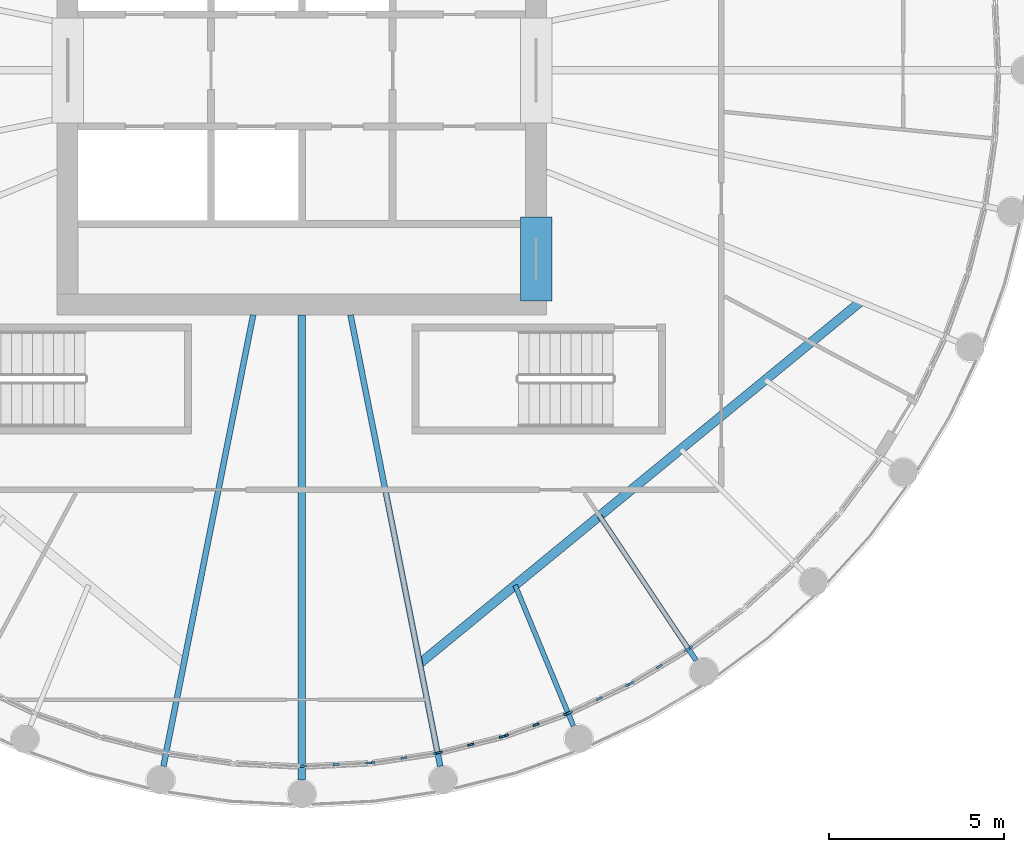
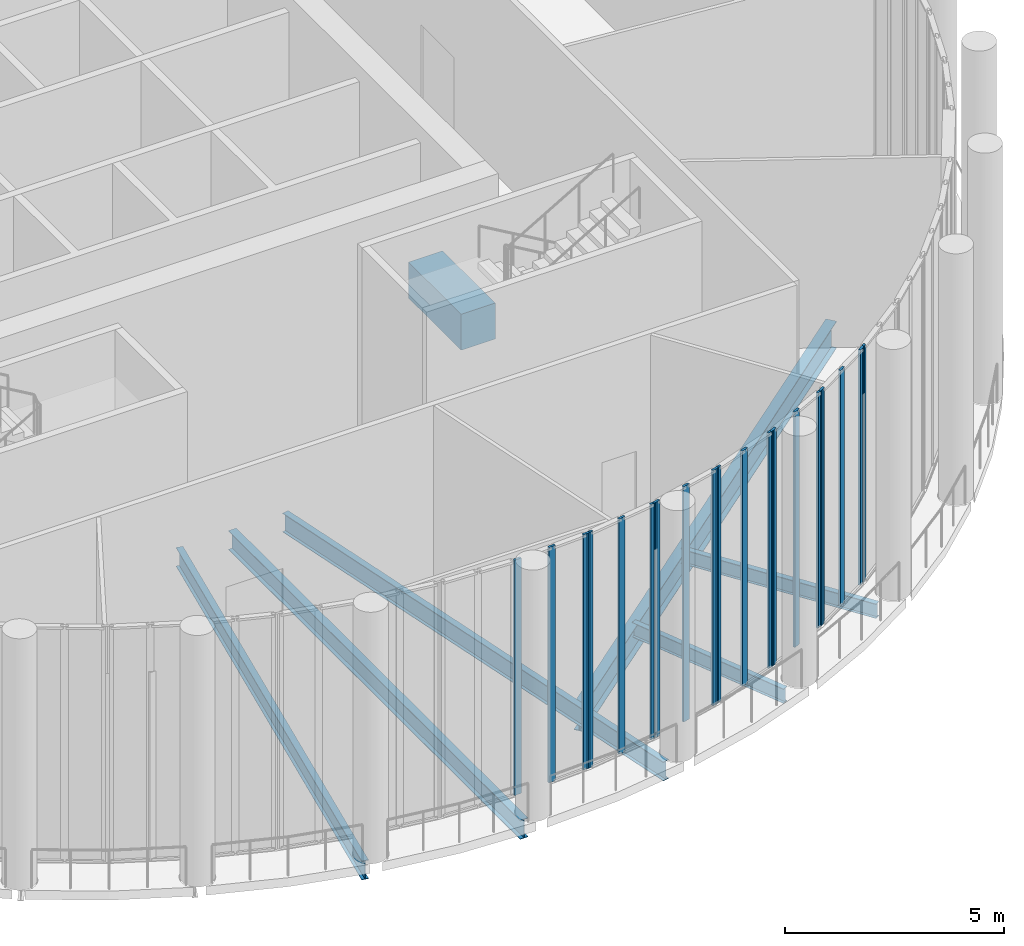
# One storey, part 3 of 21: 19 members, 7 beams, 7 elements without a shape of their own.
"""IFC4 building model written with IfcOpenShell, lengths in metres."""

from ifc_helpers import new_model, si_unit, direction, frame, origin, origin_2d, place, context, subcontext, project, spatial, rectangle, i_section, extrude, material, material_profile, profile_set, type_object, element, aggregate, save


model = new_model("IFC4")

# Units and contexts
model_context = context("Model", 3, precision=1e-05, world=origin(), true_north=direction((0.0, 1.0)))
body_context = subcontext(model_context, "Body", "Model", "MODEL_VIEW")
ifc_project = project(units=[si_unit("LENGTHUNIT", "METRE"), si_unit("AREAUNIT", "SQUARE_METRE"), si_unit("VOLUMEUNIT", "CUBIC_METRE"), si_unit("PLANEANGLEUNIT", "RADIAN"), si_unit("MASSUNIT", "GRAM", prefix="KILO")], contexts=[model_context])

# Site, building, storey
site_placement = place(None, origin())
site = spatial("IfcSite", under=ifc_project, at=site_placement, CompositionType="ELEMENT")
building_placement = place(site_placement, origin())
building = spatial("IfcBuilding", under=site, at=building_placement, Name="Corvane Civic Tower", CompositionType="ELEMENT")
storey_placement = place(building_placement, frame((0.0, 0.0, 380.5)))
storey = spatial("IfcBuildingStorey", under=building, at=storey_placement, Name="L91", CompositionType="ELEMENT", Elevation=380.5)

# Beam
ifc_material_1 = material(Name="Concrete C40/50", Category="concrete")
ifc_material_profile_1 = material_profile(ifc_material_1, rectangle(XDim=0.89990234375, YDim=1.0, at=origin_2d()), Name="COUPLING BEAM 900X1000")
ifc_profile_set_1 = profile_set([ifc_material_profile_1], Name="Concrete C40/50")
beam_type_1 = type_object("IfcBeamType", Name="COUPLING BEAM COUPLING BEAM 900X1000", PredefinedType="BEAM", material=ifc_profile_set_1)
beam_1_placement = place(storey_placement, frame((6.699951171875, -6.60009765625, 2.60009765625), z_axis=(0.0, 1.0, 0.0), x_axis=(-1.0, 0.0, 0.0)))
element("IfcBeam", 1, at=beam_1_placement, inside=storey, type_object=beam_type_1, Name="BM-L91-cpl-CW-PAS-S", PredefinedType="BEAM", context=body_context, shape_type="SweptSolid", body=[
    extrude(rectangle(XDim=0.89990234375, YDim=1.0, at=origin_2d()), origin(), (0.0, 0.0, 1.0), 2.400146484375),
])

# Curtain wall, members
ifc_material_2 = material(Name="Aluminium and glass", Category="aluminium")
curtain_wall_type = type_object("IfcCurtainWallType", Name="CROWN-CW-O-RUN", PredefinedType="NOTDEFINED", material=ifc_material_2)
curtain_wall_1_placement = place(storey_placement, origin())
curtain_wall_1 = element("IfcCurtainWall", 2, at=curtain_wall_1_placement, inside=storey, type_object=curtain_wall_type, Name="CW-O run L91 33", PredefinedType="NOTDEFINED")
ifc_material_3 = material(Name="Anodised aluminium bronze", Category="aluminium")
ifc_material_profile_2 = material_profile(ifc_material_3, rectangle(XDim=0.06005859375, YDim=0.179931640625, at=origin_2d()), Name="AL 60x180")
ifc_profile_set_2 = profile_set([ifc_material_profile_2], Name="Anodised aluminium bronze")
member_type = type_object("IfcMemberType", Name="CROWN-CWO-MULLION-60x180", PredefinedType="MULLION", material=ifc_profile_set_2)
member_1_placement = place(storey_placement, frame((0.045654296875, -19.90771484375, 0.0), z_axis=(0.0, 0.0, 1.0), x_axis=(-0.048990829113, 0.998799228405, 0.0)))
member_1 = element("IfcMember", 3, at=member_1_placement, type_object=member_type, Name="CW-O mullion 1", PredefinedType="MULLION", context=body_context, shape_type="SweptSolid", body=[
    extrude(rectangle(XDim=0.06005859375, YDim=0.179931640625, at=origin_2d()), origin(), (0.0, 0.0, 1.0), 6.550048828125),
])
member_2_placement = place(storey_placement, frame((0.975830078125, -19.862060546875, 0.0), z_axis=(0.0, 0.0, 1.0), x_axis=(-0.048990829113, 0.998799228405, 0.0)))
member_2 = element("IfcMember", 4, at=member_2_placement, type_object=member_type, Name="CW-O mullion 2", PredefinedType="MULLION", context=body_context, shape_type="SweptSolid", body=[
    extrude(rectangle(XDim=0.06005859375, YDim=0.179931640625, at=origin_2d()), origin(), (0.0, 0.0, 1.0), 6.550048828125),
])
member_3_placement = place(storey_placement, frame((1.90625, -19.81640625, 0.0), z_axis=(0.0, 0.0, 1.0), x_axis=(-0.048990829113, 0.998799228405, 0.0)))
member_3 = element("IfcMember", 5, at=member_3_placement, type_object=member_type, Name="CW-O mullion 3", PredefinedType="MULLION", context=body_context, shape_type="SweptSolid", body=[
    extrude(rectangle(XDim=0.06005859375, YDim=0.179931640625, at=origin_2d()), origin(), (0.0, 0.0, 1.0), 6.550048828125),
])
aggregate(curtain_wall_1, [member_1, member_2, member_3])

curtain_wall_2_placement = place(storey_placement, origin())
curtain_wall_2 = element("IfcCurtainWall", 6, at=curtain_wall_2_placement, inside=storey, type_object=curtain_wall_type, Name="CW-O run L91 34", PredefinedType="NOTDEFINED")
member_4_placement = place(storey_placement, frame((1.99658203125, -19.807373046875, 0.0), z_axis=(0.0, 0.0, 1.0), x_axis=(-0.146771076941, 0.989170486303, 0.0)))
member_4 = element("IfcMember", 7, at=member_4_placement, type_object=member_type, Name="CW-O mullion 1", PredefinedType="MULLION", context=body_context, shape_type="SweptSolid", body=[
    extrude(rectangle(XDim=0.06005859375, YDim=0.179931640625, at=origin_2d()), origin(), (0.0, 0.0, 1.0), 6.550048828125),
])
member_5_placement = place(storey_placement, frame((2.91796875, -19.670654296875, 0.0), z_axis=(0.0, 0.0, 1.0), x_axis=(-0.146771076941, 0.989170486303, 0.0)))
member_5 = element("IfcMember", 8, at=member_5_placement, type_object=member_type, Name="CW-O mullion 2", PredefinedType="MULLION", context=body_context, shape_type="SweptSolid", body=[
    extrude(rectangle(XDim=0.06005859375, YDim=0.179931640625, at=origin_2d()), origin(), (0.0, 0.0, 1.0), 6.550048828125),
])
member_6_placement = place(storey_placement, frame((3.839111328125, -19.533935546875, 0.0), z_axis=(0.0, 0.0, 1.0), x_axis=(-0.146771076941, 0.989170486303, 0.0)))
member_6 = element("IfcMember", 9, at=member_6_placement, type_object=member_type, Name="CW-O mullion 3", PredefinedType="MULLION", context=body_context, shape_type="SweptSolid", body=[
    extrude(rectangle(XDim=0.06005859375, YDim=0.179931640625, at=origin_2d()), origin(), (0.0, 0.0, 1.0), 6.550048828125),
])
aggregate(curtain_wall_2, [member_4, member_5, member_6])

curtain_wall_3_placement = place(storey_placement, origin())
curtain_wall_3 = element("IfcCurtainWall", 10, at=curtain_wall_3_placement, inside=storey, type_object=curtain_wall_type, Name="CW-O run L91 35", PredefinedType="NOTDEFINED")
member_7_placement = place(storey_placement, frame((3.928466796875, -19.516357421875, 0.0), z_axis=(0.0, 0.0, 1.0), x_axis=(-0.242951704982, 0.970038385347, 0.0)))
member_7 = element("IfcMember", 11, at=member_7_placement, type_object=member_type, Name="CW-O mullion 1", PredefinedType="MULLION", context=body_context, shape_type="SweptSolid", body=[
    extrude(rectangle(XDim=0.06005859375, YDim=0.179931640625, at=origin_2d()), origin(), (0.0, 0.0, 1.0), 6.550048828125),
])
member_8_placement = place(storey_placement, frame((4.831787109375, -19.2900390625, 0.0), z_axis=(0.0, 0.0, 1.0), x_axis=(-0.242951704982, 0.970038385347, 0.0)))
member_8 = element("IfcMember", 12, at=member_8_placement, type_object=member_type, Name="CW-O mullion 2", PredefinedType="MULLION", context=body_context, shape_type="SweptSolid", body=[
    extrude(rectangle(XDim=0.06005859375, YDim=0.179931640625, at=origin_2d()), origin(), (0.0, 0.0, 1.0), 6.550048828125),
])
member_9_placement = place(storey_placement, frame((5.7353515625, -19.063720703125, 0.0), z_axis=(0.0, 0.0, 1.0), x_axis=(-0.242951704982, 0.970038385347, 0.0)))
member_9 = element("IfcMember", 13, at=member_9_placement, type_object=member_type, Name="CW-O mullion 3", PredefinedType="MULLION", context=body_context, shape_type="SweptSolid", body=[
    extrude(rectangle(XDim=0.06005859375, YDim=0.179931640625, at=origin_2d()), origin(), (0.0, 0.0, 1.0), 6.550048828125),
])
aggregate(curtain_wall_3, [member_7, member_8, member_9])

curtain_wall_4_placement = place(storey_placement, origin())
curtain_wall_4 = element("IfcCurtainWall", 14, at=curtain_wall_4_placement, inside=storey, type_object=curtain_wall_type, Name="CW-O run L91 36", PredefinedType="NOTDEFINED")
member_10_placement = place(storey_placement, frame((5.822509765625, -19.037353515625, 0.0), z_axis=(0.0, 0.0, 1.0), x_axis=(-0.336982106999, 0.941511051216, 0.0)))
member_10 = element("IfcMember", 15, at=member_10_placement, type_object=member_type, Name="CW-O mullion 1", PredefinedType="MULLION", context=body_context, shape_type="SweptSolid", body=[
    extrude(rectangle(XDim=0.06005859375, YDim=0.179931640625, at=origin_2d()), origin(), (0.0, 0.0, 1.0), 6.550048828125),
])
member_11_placement = place(storey_placement, frame((6.69921875, -18.723388671875, 0.0), z_axis=(0.0, 0.0, 1.0), x_axis=(-0.336982106999, 0.941511051216, 0.0)))
member_11 = element("IfcMember", 16, at=member_11_placement, type_object=member_type, Name="CW-O mullion 2", PredefinedType="MULLION", context=body_context, shape_type="SweptSolid", body=[
    extrude(rectangle(XDim=0.06005859375, YDim=0.179931640625, at=origin_2d()), origin(), (0.0, 0.0, 1.0), 6.550048828125),
])
member_12_placement = place(storey_placement, frame((7.576171875, -18.40966796875, 0.0), z_axis=(0.0, 0.0, 1.0), x_axis=(-0.336982106999, 0.941511051216, 0.0)))
member_12 = element("IfcMember", 17, at=member_12_placement, type_object=member_type, Name="CW-O mullion 3", PredefinedType="MULLION", context=body_context, shape_type="SweptSolid", body=[
    extrude(rectangle(XDim=0.06005859375, YDim=0.179931640625, at=origin_2d()), origin(), (0.0, 0.0, 1.0), 6.550048828125),
])
aggregate(curtain_wall_4, [member_10, member_11, member_12])

curtain_wall_5_placement = place(storey_placement, origin())
curtain_wall_5 = element("IfcCurtainWall", 18, at=curtain_wall_5_placement, inside=storey, type_object=curtain_wall_type, Name="CW-O run L91 37", PredefinedType="NOTDEFINED")
member_13_placement = place(storey_placement, frame((7.660400390625, -18.374755859375, 0.0), z_axis=(0.0, 0.0, 1.0), x_axis=(-0.427509457959, 0.904010875684, 0.0)))
member_13 = element("IfcMember", 19, at=member_13_placement, type_object=member_type, Name="CW-O mullion 1", PredefinedType="MULLION", context=body_context, shape_type="SweptSolid", body=[
    extrude(rectangle(XDim=0.06005859375, YDim=0.179931640625, at=origin_2d()), origin(), (0.0, 0.0, 1.0), 6.550048828125),
])
member_14_placement = place(storey_placement, frame((8.502197265625, -17.9765625, 0.0), z_axis=(0.0, 0.0, 1.0), x_axis=(-0.427509457959, 0.904010875684, 0.0)))
member_14 = element("IfcMember", 20, at=member_14_placement, type_object=member_type, Name="CW-O mullion 2", PredefinedType="MULLION", context=body_context, shape_type="SweptSolid", body=[
    extrude(rectangle(XDim=0.06005859375, YDim=0.179931640625, at=origin_2d()), origin(), (0.0, 0.0, 1.0), 6.550048828125),
])
member_15_placement = place(storey_placement, frame((9.34423828125, -17.578369140625, 0.0), z_axis=(0.0, 0.0, 1.0), x_axis=(-0.427509457959, 0.904010875684, 0.0)))
member_15 = element("IfcMember", 21, at=member_15_placement, type_object=member_type, Name="CW-O mullion 3", PredefinedType="MULLION", context=body_context, shape_type="SweptSolid", body=[
    extrude(rectangle(XDim=0.06005859375, YDim=0.179931640625, at=origin_2d()), origin(), (0.0, 0.0, 1.0), 6.550048828125),
])
aggregate(curtain_wall_5, [member_13, member_14, member_15])

curtain_wall_6_placement = place(storey_placement, origin())
curtain_wall_6 = element("IfcCurtainWall", 22, at=curtain_wall_6_placement, inside=storey, type_object=curtain_wall_type, Name="CW-O run L91 38", PredefinedType="NOTDEFINED")
member_16_placement = place(storey_placement, frame((9.424560546875, -17.53564453125, 0.0), z_axis=(0.0, 0.0, 1.0), x_axis=(-0.514151508287, 0.857699380043, 0.0)))
member_16 = element("IfcMember", 23, at=member_16_placement, type_object=member_type, Name="CW-O mullion 1", PredefinedType="MULLION", context=body_context, shape_type="SweptSolid", body=[
    extrude(rectangle(XDim=0.06005859375, YDim=0.179931640625, at=origin_2d()), origin(), (0.0, 0.0, 1.0), 6.550048828125),
])
member_17_placement = place(storey_placement, frame((10.223388671875, -17.056640625, 0.0), z_axis=(0.0, 0.0, 1.0), x_axis=(-0.514151508287, 0.857699380043, 0.0)))
member_17 = element("IfcMember", 24, at=member_17_placement, type_object=member_type, Name="CW-O mullion 2", PredefinedType="MULLION", context=body_context, shape_type="SweptSolid", body=[
    extrude(rectangle(XDim=0.06005859375, YDim=0.179931640625, at=origin_2d()), origin(), (0.0, 0.0, 1.0), 6.550048828125),
])
member_18_placement = place(storey_placement, frame((11.022216796875, -16.577880859375, 0.0), z_axis=(0.0, 0.0, 1.0), x_axis=(-0.514151508287, 0.857699380043, 0.0)))
member_18 = element("IfcMember", 25, at=member_18_placement, type_object=member_type, Name="CW-O mullion 3", PredefinedType="MULLION", context=body_context, shape_type="SweptSolid", body=[
    extrude(rectangle(XDim=0.06005859375, YDim=0.179931640625, at=origin_2d()), origin(), (0.0, 0.0, 1.0), 6.550048828125),
])
aggregate(curtain_wall_6, [member_16, member_17, member_18])

# Curtain wall, member
curtain_wall_7_placement = place(storey_placement, origin())
curtain_wall_7 = element("IfcCurtainWall", 26, at=curtain_wall_7_placement, inside=storey, type_object=curtain_wall_type, Name="CW-O run L91 39", PredefinedType="NOTDEFINED")
member_19_placement = place(storey_placement, frame((11.097900390625, -16.52734375, 0.0), z_axis=(0.0, 0.0, 1.0), x_axis=(-0.595722477003, 0.803190345058, 0.0)))
member_19 = element("IfcMember", 27, at=member_19_placement, type_object=member_type, Name="CW-O mullion 1", PredefinedType="MULLION", context=body_context, shape_type="SweptSolid", body=[
    extrude(rectangle(XDim=0.06005859375, YDim=0.179931640625, at=origin_2d()), origin(), (0.0, 0.0, 1.0), 6.550048828125),
])
aggregate(curtain_wall_7, [member_19])

# Beams
ifc_material_4 = material(Name="Steel ASTM A992 Gr 50", Category="steel")
ifc_material_profile_3 = material_profile(ifc_material_4, i_section(OverallWidth=0.140380859375, OverallDepth=0.40380859375, WebThickness=0.007080078125, FlangeThickness=0.01123046875, at=origin_2d()), Name="W16X31")
ifc_profile_set_3 = profile_set([ifc_material_profile_3], Name="Steel ASTM A992 Gr 50")
beam_type_2 = type_object("IfcBeamType", Name="FLOOR GIRDER W16X31", PredefinedType="BEAM", material=ifc_profile_set_3)
beam_2_placement = place(storey_placement, frame((8.51708984375, -12.746826171875, -0.65185546875), z_axis=(0.555572833015, -0.831467875035, 0.0), x_axis=(0.831467875035, 0.555572833015, 0.0)))
element("IfcBeam", 28, at=beam_2_placement, inside=storey, type_object=beam_type_2, Name="BM-L91-G14", PredefinedType="BEAM", context=body_context, shape_type="SweptSolid", body=[
    extrude(i_section(OverallWidth=0.140380859375, OverallDepth=0.40380859375, WebThickness=0.007080078125, FlangeThickness=0.01123046875, at=origin_2d()), origin(), (0.0, 0.0, 1.0), 4.9697265625),
])
beam_3_placement = place(storey_placement, frame((6.101318359375, -14.729736328125, -0.65185546875), z_axis=(0.382696596497, -0.923874079639, 0.0), x_axis=(0.923874079639, 0.382696596497, 0.0)))
element("IfcBeam", 29, at=beam_3_placement, inside=storey, type_object=beam_type_2, Name="BM-L91-G15", PredefinedType="BEAM", context=body_context, shape_type="SweptSolid", body=[
    extrude(i_section(OverallWidth=0.140380859375, OverallDepth=0.40380859375, WebThickness=0.007080078125, FlangeThickness=0.01123046875, at=origin_2d()), origin(), (0.0, 0.0, 1.0), 4.3564453125),
])
ifc_material_5 = material(Name="Steel ASTM A992 Gr 50", Category="steel")
ifc_material_profile_4 = material_profile(ifc_material_5, i_section(OverallWidth=0.165771484375, OverallDepth=0.5283203125, WebThickness=0.009765625, FlangeThickness=0.013671875, at=origin_2d()), Name="W21X50")
ifc_profile_set_4 = profile_set([ifc_material_profile_4], Name="Steel ASTM A992 Gr 50")
beam_type_3 = type_object("IfcBeamType", Name="FLOOR GIRDER W21X50", PredefinedType="BEAM", material=ifc_profile_set_4)
for number, where, z_axis, x_axis, name in (
    (30, (1.392333984375, -7.0, -0.714111328125), (0.195103041836, -0.980782750188, 0.0), (0.980782750188, 0.195103041836, 0.0), "BM-L91-G16"),
    (31, (-1.392333984375, -7.0, -0.714111328125), (-0.195103041836, -0.980782750188, 0.0), (0.980782750188, -0.195103041836, 0.0), "BM-L91-G18"),
):
    element("IfcBeam", number, at=place(storey_placement, frame(where, z_axis=z_axis, x_axis=x_axis)), inside=storey, type_object=beam_type_3, Name=name, PredefinedType="BEAM", context=body_context, shape_type="SweptSolid", body=[
        extrude(i_section(OverallWidth=0.165771484375, OverallDepth=0.5283203125, WebThickness=0.009765625, FlangeThickness=0.013671875, at=origin_2d()), origin(), (0.0, 0.0, 1.0), 13.162841796875),
    ])
ifc_material_6 = material(Name="Steel ASTM A992 Gr 50", Category="steel")
ifc_material_profile_5 = material_profile(ifc_material_6, i_section(OverallWidth=0.209228515625, OverallDepth=0.533447265625, WebThickness=0.01025390625, FlangeThickness=0.015625, at=origin_2d()), Name="W21X62")
ifc_profile_set_5 = profile_set([ifc_material_profile_5], Name="Steel ASTM A992 Gr 50")
beam_type_4 = type_object("IfcBeamType", Name="FLOOR GIRDER W21X62", PredefinedType="BEAM", material=ifc_profile_set_5)
beam_4_placement = place(storey_placement, frame((0.0, -7.0, -0.716796875), z_axis=(0.0, -1.0, 0.0), x_axis=(1.0, 0.0, 0.0)))
element("IfcBeam", 32, at=beam_4_placement, inside=storey, type_object=beam_type_4, Name="BM-L91-G17", PredefinedType="BEAM", context=body_context, shape_type="SweptSolid", body=[
    extrude(i_section(OverallWidth=0.209228515625, OverallDepth=0.533447265625, WebThickness=0.01025390625, FlangeThickness=0.015625, at=origin_2d()), origin(), (0.0, 0.0, 1.0), 13.300048828125),
])
ifc_material_7 = material(Name="Steel ASTM A992 Gr 50", Category="steel")
ifc_material_profile_6 = material_profile(ifc_material_7, i_section(OverallWidth=0.26416015625, OverallDepth=0.749267578125, WebThickness=0.011962890625, FlangeThickness=0.015380859375, at=origin_2d()), Name="W30X90")
ifc_profile_set_6 = profile_set([ifc_material_profile_6], Name="Steel ASTM A992 Gr 50")
beam_type_5 = type_object("IfcBeamType", Name="FLOOR HEADER W30X90", PredefinedType="BEAM", material=ifc_profile_set_6)
beam_5_placement = place(storey_placement, frame((15.982666015625, -6.6201171875, -0.82470703125), z_axis=(-0.77300805618, -0.634396205127, 0.0), x_axis=(0.634396205127, -0.77300805618, 0.0)))
element("IfcBeam", 33, at=beam_5_placement, inside=storey, type_object=beam_type_5, Name="BM-L91-H11-16", PredefinedType="BEAM", context=body_context, shape_type="SweptSolid", body=[
    extrude(i_section(OverallWidth=0.26416015625, OverallDepth=0.749267578125, WebThickness=0.011962890625, FlangeThickness=0.015380859375, at=origin_2d()), origin(), (0.0, 0.0, 1.0), 16.309814453125),
])

save(model, "model.ifc")
